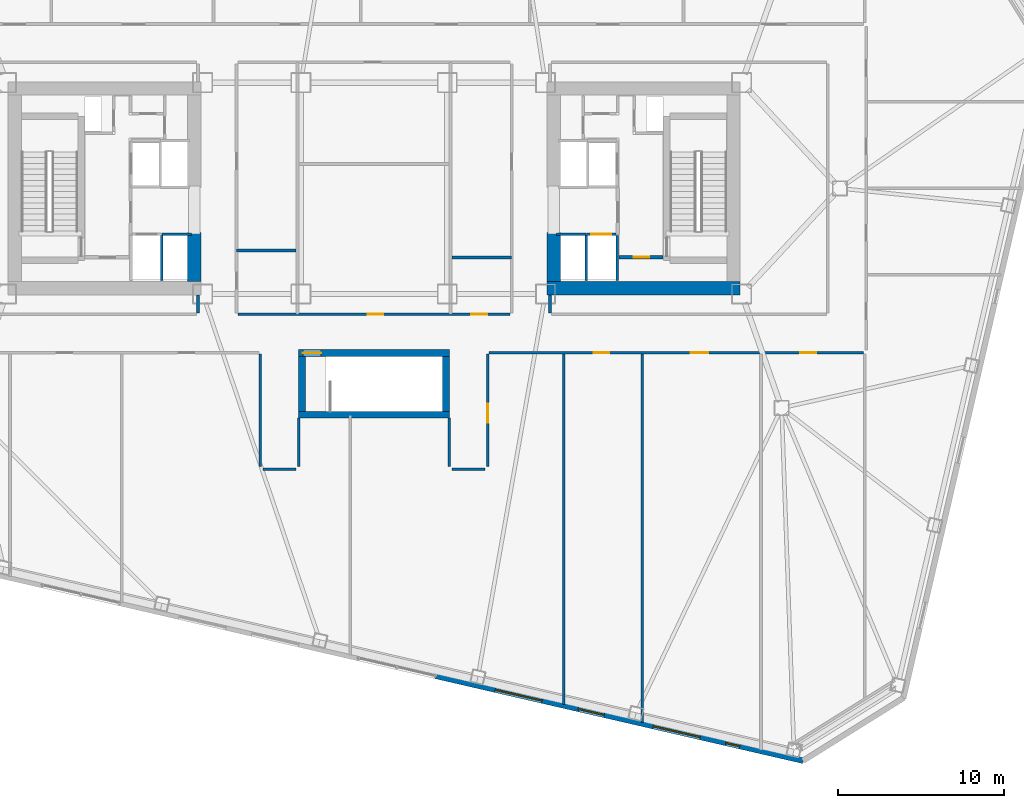
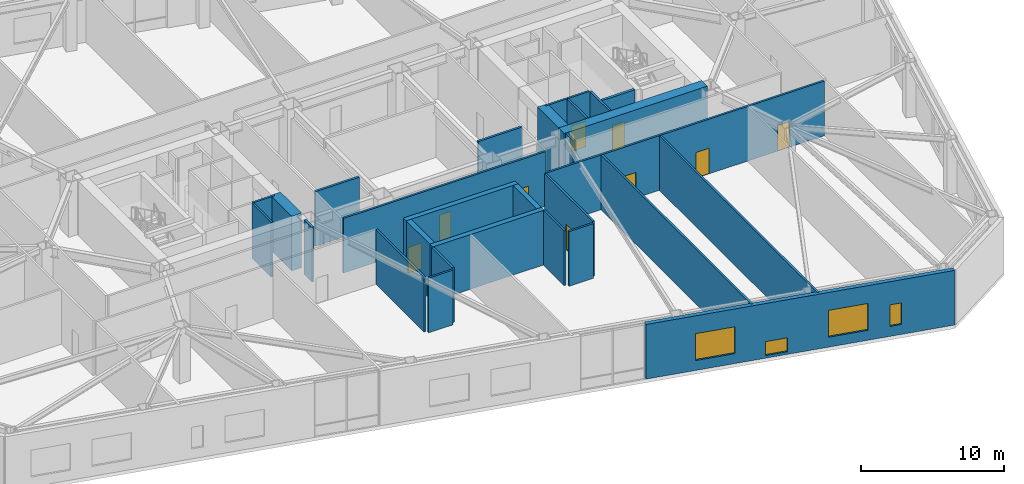
# One storey, part 10 of 19: 29 walls, 9 doors, 4 windows, 13 openings.
"""IFC4 building model written with IfcOpenShell, lengths in metres."""

import ifcopenshell
import ifcopenshell.guid

model = None  # the IFC model being written
_history = None  # IfcOwnerHistory: only IFC2X3 demands one
_inside = {}  # id of a spatial element -> (the spatial element, [elements in it])
_under = {}  # id of a project, library or spatial element -> (it, [spatial elements below it])
_declared = {}  # id of a project -> (the project, [libraries it declares])
_typed = {}  # id of a type object -> (the type object, [elements of that type])
_made_of = {}  # id of a material, layer set ... -> (it, [elements and type objects made of it])


def new_model(schema):
    """Start an empty IFC model of exactly this schema.

    Asked for "IFC4X3", IfcOpenShell would pick the latest addendum, in which some entities
    have other attributes; the version numbers below select the first issue.
    IFC2X3 requires an IfcOwnerHistory on every rooted entity: one is made here for all.
    """
    global model, _history
    if schema == "IFC4X3":
        model = ifcopenshell.file(schema_version=(4, 3, 0, 0))
    else:
        model = ifcopenshell.file(schema=schema)
    _inside.clear()
    _under.clear()
    _declared.clear()
    _typed.clear()
    _made_of.clear()
    _history = None
    if model.schema == "IFC2X3":
        org = make("IfcOrganization", Name="unknown")
        user = make(
            "IfcPersonAndOrganization",
            ThePerson=make("IfcPerson", FamilyName="unknown"),
            TheOrganization=org,
        )
        app = make(
            "IfcApplication",
            ApplicationDeveloper=org,
            Version="unknown",
            ApplicationFullName="unknown",
            ApplicationIdentifier="unknown",
        )
        _history = make(
            "IfcOwnerHistory",
            OwningUser=user,
            OwningApplication=app,
            ChangeAction="ADDED",
            CreationDate=0,
        )
    return model


def make(cls, **values):
    """One entity of the class cls with the attributes given. An attribute that is None is left unset."""
    return model.create_entity(
        cls, **{name: value for name, value in values.items() if value is not None}
    )


def rooted(cls, **values):
    """An entity with a GlobalId (a new one), such as an element, a storey or a relation."""
    return make(cls, GlobalId=ifcopenshell.guid.new(), OwnerHistory=_history, **values)


def si_unit(unit_type, name, prefix=None):
    """IfcSIUnit, for example si_unit("LENGTHUNIT", "METRE", prefix="MILLI")."""
    return make("IfcSIUnit", UnitType=unit_type, Prefix=prefix, Name=name)


def assignment(units):
    """IfcUnitAssignment: the units of a project."""
    return None if units is None else make("IfcUnitAssignment", Units=units)


def point(xyz):
    """IfcCartesianPoint."""
    return None if xyz is None else make("IfcCartesianPoint", Coordinates=xyz)


def direction(xyz):
    """IfcDirection."""
    return None if xyz is None else make("IfcDirection", DirectionRatios=xyz)


def frame(location, z_axis=None, x_axis=None):
    """IfcAxis2Placement3D, a coordinate frame: its origin and axes. An axis left out is left unset."""
    return make(
        "IfcAxis2Placement3D",
        Location=point(location),
        Axis=direction(z_axis),
        RefDirection=direction(x_axis),
    )


def frame_2d(location, x_axis=None):
    """IfcAxis2Placement2D, a coordinate frame in the plane: its origin and x axis."""
    return make(
        "IfcAxis2Placement2D", Location=point(location), RefDirection=direction(x_axis)
    )


def origin():
    """The frame at (0, 0, 0) with its axes left unset."""
    return frame((0.0, 0.0, 0.0))


def place(relative_to, where):
    """IfcLocalPlacement: puts the frame where relative to a parent placement (None: the world)."""
    return make(
        "IfcLocalPlacement", PlacementRelTo=relative_to, RelativePlacement=where
    )


def context(
    kind, dimensions, precision=None, world=None, true_north=None, identifier=None
):
    """IfcGeometricRepresentationContext, for example the 3D "Model" context."""
    return make(
        "IfcGeometricRepresentationContext",
        ContextIdentifier=identifier,
        ContextType=kind,
        CoordinateSpaceDimension=dimensions,
        Precision=precision,
        WorldCoordinateSystem=world,
        TrueNorth=true_north,
    )


def subcontext(parent, identifier, kind, view, scale=None):
    """IfcGeometricRepresentationSubContext, for example "Body" below "Model"."""
    return make(
        "IfcGeometricRepresentationSubContext",
        ContextIdentifier=identifier,
        ContextType=kind,
        ParentContext=parent,
        TargetScale=scale,
        TargetView=view,
    )


def project(units=None, contexts=None):
    """IfcProject with its units and contexts."""
    return rooted(
        "IfcProject",
        Name="project",
        RepresentationContexts=contexts,
        UnitsInContext=assignment(units),
    )


def spatial(cls, under=None, at=None, **own):
    """A site, building, storey or space (cls), placed at a placement, below another one or the project."""
    s = rooted(cls, ObjectPlacement=at, **own)
    if under is not None:
        _under.setdefault(under.id(), (under, []))[1].append(s)
    return s


def profile(cls, at=None, kind="AREA", **sizes):
    """A parametric profile (cls). Its sizes go by their IFC names, for example OverallWidth=200.0."""
    return make(cls, ProfileType=kind, Position=at, **sizes)


def rectangle(**sizes):
    """IfcRectangleProfileDef."""
    return profile("IfcRectangleProfileDef", **sizes)


def extrude(swept, where, along, depth):
    """IfcExtrudedAreaSolid: the profile swept, set in the frame where, extruded along a direction by depth."""
    return make(
        "IfcExtrudedAreaSolid",
        SweptArea=swept,
        Position=where,
        ExtrudedDirection=direction(along),
        Depth=depth,
    )


def shape(context_of_items, identifier, shape_type, items):
    """IfcShapeRepresentation: the items that make up one representation, for example the "Body"."""
    return make(
        "IfcShapeRepresentation",
        ContextOfItems=context_of_items,
        RepresentationIdentifier=identifier,
        RepresentationType=shape_type,
        Items=items,
    )


def material(Name=None, Category=None):
    """IfcMaterial."""
    return make("IfcMaterial", Name=Name, Category=Category)


def layer(
    of_material, thickness, ventilated=None, Name=None, Category=None, Priority=None
):
    """IfcMaterialLayer: one layer of a wall or slab, of a material (None: an air gap)."""
    return make(
        "IfcMaterialLayer",
        Material=of_material,
        LayerThickness=thickness,
        IsVentilated=ventilated,
        Name=Name,
        Category=Category,
        Priority=Priority,
    )


def layer_set(layers, Name=None):
    """IfcMaterialLayerSet."""
    return make("IfcMaterialLayerSet", MaterialLayers=layers, LayerSetName=Name)


def made_of(thing, what):
    """Note that an element or type object is made of a material, layer set ...; save() writes the relation."""
    if what is not None:
        _made_of.setdefault(what.id(), (what, []))[1].append(thing)
    return thing


def type_object(cls, material=None, **own):
    """A type object (cls), such as IfcWallType, which elements share."""
    return made_of(rooted(cls, **own), material)


def element(
    cls,
    number,
    at=None,
    inside=None,
    cuts=None,
    type_object=None,
    material=None,
    context=None,
    identifier="Body",
    shape_type=None,
    held_by="IfcProductDefinitionShape",
    body=None,
    shapes=None,
    **own,
):
    """One element of the class cls, such as IfcWall. Its Tag is "e" and its number.

    at: its placement. inside: the storey or other place that contains it. cuts: it is an
    opening in that element (IfcRelVoidsElement). A single representation is given by context,
    identifier, shape_type and body (its items); several are given by shapes. held_by: the class
    of the entity that holds the representations. save() writes the other relations.
    """
    e = rooted(cls, Tag="e%d" % number, ObjectPlacement=at, **own)
    if body is not None:
        shapes = [shape(context, identifier, shape_type, body)]
    if shapes is not None:
        e.Representation = make(held_by, Representations=shapes)
    if inside is not None:
        _inside.setdefault(inside.id(), (inside, []))[1].append(e)
    if cuts is not None:
        rooted(
            "IfcRelVoidsElement", RelatingBuildingElement=cuts, RelatedOpeningElement=e
        )
    if type_object is not None:
        _typed.setdefault(type_object.id(), (type_object, []))[1].append(e)
    return made_of(e, material)


def fill(opening, filler):
    """IfcRelFillsElement: the door or window that sits in an opening."""
    return rooted(
        "IfcRelFillsElement",
        RelatingOpeningElement=opening,
        RelatedBuildingElement=filler,
    )


def aggregate(whole, parts):
    """IfcRelAggregates: a whole, such as a stair, and the parts it consists of."""
    return rooted("IfcRelAggregates", RelatingObject=whole, RelatedObjects=parts)


def save(model, path):
    """Write the relations noted so far, then the file.

    IfcRelAggregates (storeys below a building ...), IfcRelContainedInSpatialStructure (elements
    in a storey), IfcRelDefinesByType, IfcRelAssociatesMaterial and IfcRelDeclares: one each for
    every whole, place, type object, material and project.
    """
    for whole, parts in _under.values():
        aggregate(whole, parts)
    for where, things in _inside.values():
        rooted(
            "IfcRelContainedInSpatialStructure",
            RelatedElements=things,
            RelatingStructure=where,
        )
    for kind, things in _typed.values():
        rooted("IfcRelDefinesByType", RelatedObjects=things, RelatingType=kind)
    for what, things in _made_of.values():
        rooted("IfcRelAssociatesMaterial", RelatedObjects=things, RelatingMaterial=what)
    for by, libraries in _declared.values():
        rooted("IfcRelDeclares", RelatingContext=by, RelatedDefinitions=libraries)
    model.write(path)


model = new_model("IFC4")

# Units and contexts
model_context = context("Model", 3, precision=1e-05, world=origin(), true_north=direction((0.0, 1.0)))
body_context = subcontext(model_context, "Body", "Model", "MODEL_VIEW")
ifc_project = project(units=[si_unit("LENGTHUNIT", "METRE"), si_unit("AREAUNIT", "SQUARE_METRE"), si_unit("VOLUMEUNIT", "CUBIC_METRE"), si_unit("PLANEANGLEUNIT", "RADIAN"), si_unit("MASSUNIT", "GRAM", prefix="KILO")], contexts=[model_context])

# Site, building, storey
site_placement = place(None, origin())
site = spatial("IfcSite", under=ifc_project, at=site_placement, CompositionType="ELEMENT")
building_placement = place(site_placement, origin())
building = spatial("IfcBuilding", under=site, at=building_placement, Name="Tavrogorsk Clinical Tower", CompositionType="ELEMENT")
storey_placement = place(building_placement, frame((0.0, 0.0, 28.39990234375)))
storey = spatial("IfcBuildingStorey", under=building, at=storey_placement, Name="L05", CompositionType="ELEMENT", Elevation=28.39990234375)

# Wall, opening, door
ifc_material_1 = material(Name="Concrete B60", Category="concrete")
ifc_layer_1 = layer(ifc_material_1, 0.199951171875)
ifc_layer_set_1 = layer_set([ifc_layer_1], Name="Concrete B60")
wall_type_1 = type_object("IfcWallType", Name="CoreFireWall_200", PredefinedType="SOLIDWALL", material=ifc_layer_set_1)
wall_1_placement = place(storey_placement, frame((14.719970703125, -4.139892578125, 0.0), z_axis=(0.0, 0.0, 1.0), x_axis=(1.0, 0.0, 0.0)))
wall_1 = element("IfcWall", 1, at=wall_1_placement, inside=storey, type_object=wall_type_1, Name="L05 Core East South Core Room Fire Wall", PredefinedType="SOLIDWALL", context=body_context, shape_type="SweptSolid", body=[
    extrude(rectangle(XDim=2.659912109375, YDim=0.199951171875, at=frame_2d((1.330078125, 0.0))), origin(), (0.0, 0.0, 1.0), 4.68017578125),
])
opening_1_placement = place(wall_1_placement, frame((0.8798828125, 0.0, 0.0)))
opening_1 = element("IfcOpeningElement", 2, at=opening_1_placement, cuts=wall_1, Name="Opening ID-02", PredefinedType="OPENING", context=body_context, shape_type="SweptSolid", body=[
    extrude(rectangle(XDim=0.949951171875, YDim=2.199951171875, at=frame_2d((0.47509765625, 1.10009765625))), frame((0.0, 0.10986328125, 0.0), z_axis=(0.0, -1.0, 0.0), x_axis=(1.0, 0.0, 0.0)), (0.0, 0.0, 1.0), 0.219970703125),
])
ifc_material_2 = material(Name="Laminated timber leaf on aluminium frame", Category="wood")
door_type_1 = type_object("IfcDoorType", Name="InteriorDoor_ID02_950", OperationType="NOTDEFINED", PredefinedType="DOOR", material=ifc_material_2)
door_1_placement = place(opening_1_placement, origin())
door_1 = element("IfcDoor", 3, at=door_1_placement, inside=storey, type_object=door_type_1, Name="L05 Core East South Core Room Door", OperationType="SINGLE_SWING_LEFT", OverallHeight=2.199951171875, OverallWidth=0.949951171875, PredefinedType="DOOR", context=body_context, shape_type="SweptSolid", body=[
    extrude(rectangle(XDim=0.949951171875, YDim=2.199951171875, at=frame_2d((0.47509765625, 1.10009765625))), frame((0.0, 0.02490234375, 0.0), z_axis=(0.0, -1.0, 0.0), x_axis=(1.0, 0.0, 0.0)), (0.0, 0.0, 1.0), 0.050048828125),
])
fill(opening_1, door_1)

# Wall, openings, doors
ifc_material_3 = material(Name="Lightweight concrete blockwork B15", Category="masonry")
ifc_layer_2 = layer(ifc_material_3, 0.159912109375)
ifc_layer_set_2 = layer_set([ifc_layer_2], Name="Lightweight concrete blockwork B15")
wall_type_2 = type_object("IfcWallType", Name="PartitionWall_160", PredefinedType="PARTITIONING", material=ifc_layer_set_2)
wall_2_placement = place(storey_placement, frame((29.4150390625, -9.8798828125, 0.0), z_axis=(0.0, 0.0, 1.0), x_axis=(-1.0, 0.0, 0.0)))
wall_2 = element("IfcWall", 4, at=wall_2_placement, inside=storey, type_object=wall_type_2, Name="L05 Corridor Partition 04", PredefinedType="PARTITIONING", context=body_context, shape_type="SweptSolid", body=[
    extrude(rectangle(XDim=22.5, YDim=0.159912109375, at=frame_2d((11.25, 0.0))), origin(), (0.0, 0.0, 1.0), 4.68017578125),
])
opening_2_placement = place(wall_2_placement, frame((15.264892578125, 0.0, 0.0)))
opening_2 = element("IfcOpeningElement", 5, at=opening_2_placement, cuts=wall_2, Name="Opening ID-02", PredefinedType="OPENING", context=body_context, shape_type="SweptSolid", body=[
    extrude(rectangle(XDim=0.949951171875, YDim=2.199951171875, at=frame_2d((0.47509765625, 1.10009765625))), frame((0.0, 0.08984375, 0.0), z_axis=(0.0, -1.0, 0.0), x_axis=(1.0, 0.0, 0.0)), (0.0, 0.0, 1.0), 0.179931640625),
])
opening_3_placement = place(wall_2_placement, frame((9.3349609375, 0.0, 0.0)))
opening_3 = element("IfcOpeningElement", 6, at=opening_3_placement, cuts=wall_2, Name="Opening ID-04", PredefinedType="OPENING", context=body_context, shape_type="SweptSolid", body=[
    extrude(rectangle(XDim=1.050048828125, YDim=2.199951171875, at=frame_2d((0.52490234375, 1.10009765625))), frame((0.0, 0.08984375, 0.0), z_axis=(0.0, -1.0, 0.0), x_axis=(1.0, 0.0, 0.0)), (0.0, 0.0, 1.0), 0.179931640625),
])
opening_4_placement = place(wall_2_placement, frame((2.839111328125, 0.0, 0.0)))
opening_4 = element("IfcOpeningElement", 7, at=opening_4_placement, cuts=wall_2, Name="Opening ID-02", PredefinedType="OPENING", context=body_context, shape_type="SweptSolid", body=[
    extrude(rectangle(XDim=0.949951171875, YDim=2.199951171875, at=frame_2d((0.47509765625, 1.10009765625))), frame((0.0, 0.08984375, 0.0), z_axis=(0.0, -1.0, 0.0), x_axis=(1.0, 0.0, 0.0)), (0.0, 0.0, 1.0), 0.179931640625),
])
ifc_material_4 = material(Name="Antibacterial HPL consultation door on aluminium frame", Category="aluminium")
door_type_2 = type_object("IfcDoorType", Name="ConsultDoor_ID04_1050", OperationType="NOTDEFINED", PredefinedType="DOOR", material=ifc_material_4)
door_2_placement = place(opening_3_placement, origin())
door_2 = element("IfcDoor", 8, at=door_2_placement, inside=storey, type_object=door_type_2, Name="L05 South Intensivist Consultation Office 04A Door", OperationType="SINGLE_SWING_LEFT", OverallHeight=2.199951171875, OverallWidth=1.050048828125, PredefinedType="DOOR", context=body_context, shape_type="SweptSolid", body=[
    extrude(rectangle(XDim=1.050048828125, YDim=2.199951171875, at=frame_2d((0.52490234375, 1.10009765625))), frame((0.0, 0.02490234375, 0.0), z_axis=(0.0, -1.0, 0.0), x_axis=(1.0, 0.0, 0.0)), (0.0, 0.0, 1.0), 0.050048828125),
])
fill(opening_3, door_2)
door_3_placement = place(opening_2_placement, origin())
door_3 = element("IfcDoor", 9, at=door_3_placement, inside=storey, type_object=door_type_1, Name="L05 South Critical Care Case Seminar Room 03 Door", OperationType="SINGLE_SWING_RIGHT", OverallHeight=2.199951171875, OverallWidth=0.949951171875, PredefinedType="DOOR", context=body_context, shape_type="SweptSolid", body=[
    extrude(rectangle(XDim=0.949951171875, YDim=2.199951171875, at=frame_2d((0.47509765625, 1.10009765625))), frame((0.0, 0.02490234375, 0.0), z_axis=(0.0, -1.0, 0.0), x_axis=(1.0, 0.0, 0.0)), (0.0, 0.0, 1.0), 0.050048828125),
])
fill(opening_2, door_3)
door_4_placement = place(opening_4_placement, origin())
door_4 = element("IfcDoor", 10, at=door_4_placement, inside=storey, type_object=door_type_1, Name="L05 South ECMO & Ventilator Equipment Store 04B Door", OperationType="SINGLE_SWING_RIGHT", OverallHeight=2.199951171875, OverallWidth=0.949951171875, PredefinedType="DOOR", context=body_context, shape_type="SweptSolid", body=[
    extrude(rectangle(XDim=0.949951171875, YDim=2.199951171875, at=frame_2d((0.47509765625, 1.10009765625))), frame((0.0, 0.02490234375, 0.0), z_axis=(0.0, -1.0, 0.0), x_axis=(1.0, 0.0, 0.0)), (0.0, 0.0, 1.0), 0.050048828125),
])
fill(opening_4, door_4)

# Wall, opening, door
wall_3_placement = place(storey_placement, frame((6.830078125, -9.965087890625, 0.0), z_axis=(0.0, 0.0, 1.0), x_axis=(0.0, -1.0, 0.0)))
wall_3 = element("IfcWall", 11, at=wall_3_placement, inside=storey, type_object=wall_type_2, Name="L05 Corridor Partition 05", PredefinedType="PARTITIONING", context=body_context, shape_type="SweptSolid", body=[
    extrude(rectangle(XDim=6.75, YDim=0.159912109375, at=frame_2d((3.375, 0.0))), origin(), (0.0, 0.0, 1.0), 4.68017578125),
])
opening_5_placement = place(wall_3_placement, frame((2.985107421875, 0.0, 0.0)))
opening_5 = element("IfcOpeningElement", 12, at=opening_5_placement, cuts=wall_3, Name="Opening ID-06", PredefinedType="OPENING", context=body_context, shape_type="SweptSolid", body=[
    extrude(rectangle(XDim=1.14990234375, YDim=2.199951171875, at=frame_2d((0.574951171875, 1.10009765625))), frame((0.0, 0.08984375, 0.0), z_axis=(0.0, -1.0, 0.0), x_axis=(1.0, 0.0, 0.0)), (0.0, 0.0, 1.0), 0.179931640625),
])
ifc_material_5 = material(Name="Antibacterial HPL procedure door on aluminium frame", Category="aluminium")
door_type_3 = type_object("IfcDoorType", Name="LabDoor_ID06_1150", OperationType="NOTDEFINED", PredefinedType="DOOR", material=ifc_material_5)
door_5_placement = place(opening_5_placement, origin())
door_5 = element("IfcDoor", 13, at=door_5_placement, inside=storey, type_object=door_type_3, Name="L05 South ECMO & Ventilator Equipment Store 02B Door", OperationType="SINGLE_SWING_LEFT", OverallHeight=2.199951171875, OverallWidth=1.14990234375, PredefinedType="DOOR", context=body_context, shape_type="SweptSolid", body=[
    extrude(rectangle(XDim=1.14990234375, YDim=2.199951171875, at=frame_2d((0.574951171875, 1.10009765625))), frame((0.0, 0.02490234375, 0.0), z_axis=(0.0, -1.0, 0.0), x_axis=(1.0, 0.0, 0.0)), (0.0, 0.0, 1.0), 0.050048828125),
])
fill(opening_5, door_5)

# Walls
wall_4_placement = place(storey_placement, frame((6.6650390625, -16.8798828125, 0.0), z_axis=(0.0, 0.0, 1.0), x_axis=(-1.0, 0.0, 0.0)))
element("IfcWall", 14, at=wall_4_placement, inside=storey, type_object=wall_type_2, Name="L05 Corridor Partition 06", PredefinedType="PARTITIONING", context=body_context, shape_type="SweptSolid", body=[
    extrude(rectangle(XDim=1.97998046875, YDim=0.159912109375, at=frame_2d((0.989990234375, 0.0))), origin(), (0.0, 0.0, 1.0), 4.68017578125),
])
for number, where, z_axis, x_axis, name in (
    (15, (4.52001953125, -16.715087890625, 0.0), (0.0, 0.0, 1.0), (0.0, 1.0, 0.0), "L05 Corridor Partition 07"),
    (16, (-4.52001953125, -13.800048828125, 0.0), (0.0, 0.0, 1.0), (0.0, -1.0, 0.0), "L05 Corridor Partition 08"),
):
    element("IfcWall", number, at=place(storey_placement, frame(where, z_axis=z_axis, x_axis=x_axis)), inside=storey, type_object=wall_type_2, Name=name, PredefinedType="PARTITIONING", context=body_context, shape_type="SweptSolid", body=[
        extrude(rectangle(XDim=2.9150390625, YDim=0.159912109375, at=frame_2d((1.45751953125, 0.0))), origin(), (0.0, 0.0, 1.0), 4.68017578125),
    ])
wall_5_placement = place(storey_placement, frame((-4.68505859375, -16.8798828125, 0.0), z_axis=(0.0, 0.0, 1.0), x_axis=(-1.0, 0.0, 0.0)))
element("IfcWall", 17, at=wall_5_placement, inside=storey, type_object=wall_type_2, Name="L05 Corridor Partition 09", PredefinedType="PARTITIONING", context=body_context, shape_type="SweptSolid", body=[
    extrude(rectangle(XDim=1.97998046875, YDim=0.159912109375, at=frame_2d((0.989990234375, 0.0))), origin(), (0.0, 0.0, 1.0), 4.68017578125),
])
wall_6_placement = place(storey_placement, frame((-6.830078125, -16.715087890625, 0.0), z_axis=(0.0, 0.0, 1.0), x_axis=(0.0, 1.0, 0.0)))
element("IfcWall", 18, at=wall_6_placement, inside=storey, type_object=wall_type_2, Name="L05 Corridor Partition 10", PredefinedType="PARTITIONING", context=body_context, shape_type="SweptSolid", body=[
    extrude(rectangle(XDim=6.75, YDim=0.159912109375, at=frame_2d((3.375, 0.0))), origin(), (0.0, 0.0, 1.0), 4.68017578125),
])
wall_7_placement = place(storey_placement, frame((10.580078125, -6.419921875, 0.0), z_axis=(0.0, 0.0, 1.0), x_axis=(0.0, -1.0, 0.0)))
element("IfcWall", 19, at=wall_7_placement, inside=storey, type_object=wall_type_2, Name="L05 Corridor Partition 14", PredefinedType="PARTITIONING", context=body_context, shape_type="SweptSolid", body=[
    extrude(rectangle(XDim=1.065185546875, YDim=0.159912109375, at=frame_2d((0.53271484375, 0.0))), origin(), (0.0, 0.0, 1.0), 4.68017578125),
])

# Wall, openings, doors
wall_8_placement = place(storey_placement, frame((-8.18505859375, -7.570068359375, 0.0), z_axis=(0.0, 0.0, 1.0), x_axis=(1.0, 0.0, 0.0)))
wall_8 = element("IfcWall", 20, at=wall_8_placement, inside=storey, type_object=wall_type_2, Name="L05 Corridor Partition 19", PredefinedType="PARTITIONING", context=body_context, shape_type="SweptSolid", body=[
    extrude(rectangle(XDim=16.3701171875, YDim=0.159912109375, at=frame_2d((8.18505859375, 0.0))), origin(), (0.0, 0.0, 1.0), 4.68017578125),
])
opening_6_placement = place(wall_8_placement, frame((7.794921875, 0.0, 0.0)))
opening_6 = element("IfcOpeningElement", 21, at=opening_6_placement, cuts=wall_8, Name="Opening ID-02", PredefinedType="OPENING", context=body_context, shape_type="SweptSolid", body=[
    extrude(rectangle(XDim=0.949951171875, YDim=2.199951171875, at=frame_2d((0.47509765625, 1.10009765625))), frame((0.0, 0.08984375, 0.0), z_axis=(0.0, -1.0, 0.0), x_axis=(1.0, 0.0, 0.0)), (0.0, 0.0, 1.0), 0.179931640625),
])
opening_7_placement = place(wall_8_placement, frame((14.035888671875, 0.0, 0.0)))
opening_7 = element("IfcOpeningElement", 22, at=opening_7_placement, cuts=wall_8, Name="Opening ID-02", PredefinedType="OPENING", context=body_context, shape_type="SweptSolid", body=[
    extrude(rectangle(XDim=0.949951171875, YDim=2.199951171875, at=frame_2d((0.47509765625, 1.10009765625))), frame((0.0, 0.08984375, 0.0), z_axis=(0.0, -1.0, 0.0), x_axis=(1.0, 0.0, 0.0)), (0.0, 0.0, 1.0), 0.179931640625),
])
door_6_placement = place(opening_6_placement, origin())
door_6 = element("IfcDoor", 23, at=door_6_placement, inside=storey, type_object=door_type_1, Name="L05 Multidisciplinary Conference Room Door", OperationType="SINGLE_SWING_LEFT", OverallHeight=2.199951171875, OverallWidth=0.949951171875, PredefinedType="DOOR", context=body_context, shape_type="SweptSolid", body=[
    extrude(rectangle(XDim=0.949951171875, YDim=2.199951171875, at=frame_2d((0.47509765625, 1.10009765625))), frame((0.0, 0.02490234375, 0.0), z_axis=(0.0, -1.0, 0.0), x_axis=(1.0, 0.0, 0.0)), (0.0, 0.0, 1.0), 0.050048828125),
])
fill(opening_6, door_6)
door_7_placement = place(opening_7_placement, origin())
door_7 = element("IfcDoor", 24, at=door_7_placement, inside=storey, type_object=door_type_1, Name="L05 Staff & Visitor Accessible WC Door", OperationType="SINGLE_SWING_LEFT", OverallHeight=2.199951171875, OverallWidth=0.949951171875, PredefinedType="DOOR", context=body_context, shape_type="SweptSolid", body=[
    extrude(rectangle(XDim=0.949951171875, YDim=2.199951171875, at=frame_2d((0.47509765625, 1.10009765625))), frame((0.0, 0.02490234375, 0.0), z_axis=(0.0, -1.0, 0.0), x_axis=(1.0, 0.0, 0.0)), (0.0, 0.0, 1.0), 0.050048828125),
])
fill(opening_7, door_7)

# Walls
wall_9_placement = place(storey_placement, frame((-10.580078125, -7.485107421875, 0.0), z_axis=(0.0, 0.0, 1.0), x_axis=(0.0, 1.0, 0.0)))
element("IfcWall", 25, at=wall_9_placement, inside=storey, type_object=wall_type_2, Name="L05 Corridor Partition 21", PredefinedType="PARTITIONING", context=body_context, shape_type="SweptSolid", body=[
    extrude(rectangle(XDim=1.065185546875, YDim=0.159912109375, at=frame_2d((0.53271484375, 0.0))), origin(), (0.0, 0.0, 1.0), 4.68017578125),
])
wall_10_placement = place(storey_placement, frame((11.39990234375, -31.01318359375, 0.0), z_axis=(0.0, 0.0, 1.0), x_axis=(0.0, 1.0, 0.0)))
element("IfcWall", 26, at=wall_10_placement, inside=storey, type_object=wall_type_2, Name="L05 South Room Partition 2", PredefinedType="PARTITIONING", context=body_context, shape_type="SweptSolid", body=[
    extrude(rectangle(XDim=21.048095703125, YDim=0.159912109375, at=frame_2d((10.52392578125, 0.0))), origin(), (0.0, 0.0, 1.0), 4.68017578125),
])
wall_11_placement = place(storey_placement, frame((16.1201171875, -32.102783203125, 0.0), z_axis=(0.0, 0.0, 1.0), x_axis=(0.0, 1.0, 0.0)))
element("IfcWall", 27, at=wall_11_placement, inside=storey, type_object=wall_type_2, Name="L05 South Room Partition 3", PredefinedType="PARTITIONING", context=body_context, shape_type="SweptSolid", body=[
    extrude(rectangle(XDim=22.1376953125, YDim=0.159912109375, at=frame_2d((11.06884765625, 0.0))), origin(), (0.0, 0.0, 1.0), 4.68017578125),
])
ifc_material_6 = material(Name="Lightweight concrete blockwork B20", Category="masonry")
ifc_layer_3 = layer(ifc_material_6, 0.179931640625)
ifc_layer_set_3 = layer_set([ifc_layer_3], Name="Lightweight concrete blockwork B20")
wall_type_3 = type_object("IfcWallType", Name="PartitionWall_180", PredefinedType="PARTITIONING", material=ifc_layer_set_3)
for number, where, z_axis, x_axis, name in (
    (28, (-8.264892578125, -3.75, 0.0), (0.0, 0.0, 1.0), (1.0, 0.0, 0.0), "L05 Central Spine Partition 4"),
    (29, (4.695068359375, -4.14990234375, 0.0), (0.0, 0.0, 1.0), (1.0, 0.0, 0.0), "L05 Central Spine Partition 5"),
):
    element("IfcWall", number, at=place(storey_placement, frame(where, z_axis=z_axis, x_axis=x_axis)), inside=storey, type_object=wall_type_3, Name=name, PredefinedType="PARTITIONING", context=body_context, shape_type="SweptSolid", body=[
        extrude(rectangle(XDim=3.56982421875, YDim=0.179931640625, at=frame_2d((1.784912109375, 0.0))), origin(), (0.0, 0.0, 1.0), 4.68017578125),
    ])

# Wall, openings, windows
ifc_material_7 = material(Name="Precast concrete B45 with limestone cladding", Category="masonry")
ifc_layer_4 = layer(ifc_material_7, 0.340087890625)
ifc_layer_set_4 = layer_set([ifc_layer_4], Name="Precast concrete B45 with limestone cladding")
wall_type_4 = type_object("IfcWallType", Name="PrecastLimestoneWall_340", PredefinedType="STANDARD", material=ifc_layer_set_4)
wall_12_placement = place(storey_placement, frame((3.716796875, -29.31103515625, 0.0), z_axis=(0.0, 0.0, 1.0), x_axis=(0.97436993772, -0.224951604723, 0.0)))
wall_12 = element("IfcWall", 30, at=wall_12_placement, inside=storey, type_object=wall_type_4, Name="L05 S Limestone Facade Wall 3", PredefinedType="STANDARD", context=body_context, shape_type="SweptSolid", body=[
    extrude(rectangle(XDim=22.6513671875, YDim=0.340087890625, at=frame_2d((11.32568359375, 0.0))), origin(), (0.0, 0.0, 1.0), 4.68017578125),
])
opening_8_placement = place(wall_12_placement, frame((3.656494140625, 0.0, 0.85009765625)))
opening_8 = element("IfcOpeningElement", 31, at=opening_8_placement, cuts=wall_12, Name="Opening WN-10", PredefinedType="OPENING", context=body_context, shape_type="SweptSolid", body=[
    extrude(rectangle(XDim=2.89990234375, YDim=2.300048828125, at=frame_2d((1.449951171875, 1.14990234375))), frame((0.0, 0.179931640625, 0.0), z_axis=(0.0, -1.0, 0.0), x_axis=(1.0, 0.0, 0.0)), (0.0, 0.0, 1.0), 0.360107421875),
])
opening_9_placement = place(wall_12_placement, frame((8.790771484375, 0.0, 0.219970703125)))
opening_9 = element("IfcOpeningElement", 32, at=opening_9_placement, cuts=wall_12, Name="Opening WN-09", PredefinedType="OPENING", context=body_context, shape_type="SweptSolid", body=[
    extrude(rectangle(XDim=1.60009765625, YDim=1.199951171875, at=frame_2d((0.800048828125, 0.60009765625))), frame((0.0, 0.179931640625, 0.0), z_axis=(0.0, -1.0, 0.0), x_axis=(1.0, 0.0, 0.0)), (0.0, 0.0, 1.0), 0.360107421875),
])
opening_10_placement = place(wall_12_placement, frame((13.40478515625, 0.0, 0.85009765625)))
opening_10 = element("IfcOpeningElement", 33, at=opening_10_placement, cuts=wall_12, Name="Opening WN-10", PredefinedType="OPENING", context=body_context, shape_type="SweptSolid", body=[
    extrude(rectangle(XDim=2.89990234375, YDim=2.300048828125, at=frame_2d((1.449951171875, 1.14990234375))), frame((0.0, 0.179931640625, 0.0), z_axis=(0.0, -1.0, 0.0), x_axis=(1.0, 0.0, 0.0)), (0.0, 0.0, 1.0), 0.360107421875),
])
opening_11_placement = place(wall_12_placement, frame((17.889404296875, 0.0, 0.85009765625)))
opening_11 = element("IfcOpeningElement", 34, at=opening_11_placement, cuts=wall_12, Name="Opening WN-06", PredefinedType="OPENING", context=body_context, shape_type="SweptSolid", body=[
    extrude(rectangle(XDim=0.85009765625, YDim=1.85009765625, at=frame_2d((0.425048828125, 0.925048828125))), frame((0.0, 0.179931640625, 0.0), z_axis=(0.0, -1.0, 0.0), x_axis=(1.0, 0.0, 0.0)), (0.0, 0.0, 1.0), 0.360107421875),
])
ifc_material_8 = material(Name="Thermally broken aluminium frame and triple IGU", Category="aluminium")
window_type_1 = type_object("IfcWindowType", Name="DiagnosticWin_2900x2300", PartitioningType="TRIPLE_PANEL_HORIZONTAL", PredefinedType="WINDOW", material=ifc_material_8)
window_1_placement = place(opening_8_placement, origin())
window_1 = element("IfcWindow", 35, at=window_1_placement, inside=storey, type_object=window_type_1, Name="L05 S Chicago Window 07", OverallHeight=2.300048828125, OverallWidth=2.89990234375, PartitioningType="SINGLE_PANEL", PredefinedType="WINDOW", context=body_context, shape_type="SweptSolid", body=[
    extrude(rectangle(XDim=2.89990234375, YDim=2.300048828125, at=frame_2d((1.449951171875, 1.14990234375))), frame((0.0, 0.030029296875, 0.0), z_axis=(0.0, -1.0, 0.0), x_axis=(1.0, 0.0, 0.0)), (0.0, 0.0, 1.0), 0.06005859375),
])
fill(opening_8, window_1)
window_2_placement = place(opening_10_placement, origin())
window_2 = element("IfcWindow", 36, at=window_2_placement, inside=storey, type_object=window_type_1, Name="L05 S Chicago Window 09", OverallHeight=2.300048828125, OverallWidth=2.89990234375, PartitioningType="SINGLE_PANEL", PredefinedType="WINDOW", context=body_context, shape_type="SweptSolid", body=[
    extrude(rectangle(XDim=2.89990234375, YDim=2.300048828125, at=frame_2d((1.449951171875, 1.14990234375))), frame((0.0, 0.030029296875, 0.0), z_axis=(0.0, -1.0, 0.0), x_axis=(1.0, 0.0, 0.0)), (0.0, 0.0, 1.0), 0.06005859375),
])
fill(opening_10, window_2)
ifc_material_9 = material(Name="Thermally broken aluminium frame and triple IGU", Category="aluminium")
window_type_2 = type_object("IfcWindowType", Name="LowHeadTransWin_1600x1200", PartitioningType="DOUBLE_PANEL_VERTICAL", PredefinedType="WINDOW", material=ifc_material_9)
window_3_placement = place(opening_9_placement, origin())
window_3 = element("IfcWindow", 37, at=window_3_placement, inside=storey, type_object=window_type_2, Name="L05 S Chicago Window 08", OverallHeight=1.199951171875, OverallWidth=1.60009765625, PartitioningType="SINGLE_PANEL", PredefinedType="WINDOW", context=body_context, shape_type="SweptSolid", body=[
    extrude(rectangle(XDim=1.60009765625, YDim=1.199951171875, at=frame_2d((0.800048828125, 0.60009765625))), frame((0.0, 0.030029296875, 0.0), z_axis=(0.0, -1.0, 0.0), x_axis=(1.0, 0.0, 0.0)), (0.0, 0.0, 1.0), 0.06005859375),
])
fill(opening_9, window_3)
ifc_material_10 = material(Name="Thermally broken aluminium frame and triple IGU", Category="aluminium")
window_type_3 = type_object("IfcWindowType", Name="MullionSubWin_850x1850", PartitioningType="SINGLE_PANEL", PredefinedType="WINDOW", material=ifc_material_10)
window_4_placement = place(opening_11_placement, origin())
window_4 = element("IfcWindow", 38, at=window_4_placement, inside=storey, type_object=window_type_3, Name="L05 S Mullion Split Window 10A", OverallHeight=1.85009765625, OverallWidth=0.85009765625, PartitioningType="SINGLE_PANEL", PredefinedType="WINDOW", context=body_context, shape_type="SweptSolid", body=[
    extrude(rectangle(XDim=0.85009765625, YDim=1.85009765625, at=frame_2d((0.425048828125, 0.925048828125))), frame((0.0, 0.030029296875, 0.0), z_axis=(0.0, -1.0, 0.0), x_axis=(1.0, 0.0, 0.0)), (0.0, 0.0, 1.0), 0.06005859375),
])
fill(opening_11, window_4)

# Walls
ifc_material_11 = material(Name="Lightweight concrete blockwork B25", Category="masonry")
ifc_layer_5 = layer(ifc_material_11, 0.159912109375)
ifc_layer_set_5 = layer_set([ifc_layer_5], Name="Lightweight concrete blockwork B25")
wall_type_5 = type_object("IfcWallType", Name="ShaftWall_160", PredefinedType="PARTITIONING", material=ifc_layer_set_5)
wall_13_placement = place(storey_placement, frame((-12.75, -5.5400390625, 0.0), z_axis=(0.0, 0.0, 1.0), x_axis=(0.0, 1.0, 0.0)))
element("IfcWall", 39, at=wall_13_placement, inside=storey, type_object=wall_type_5, Name="L05 LP-L1 Lift Hoistway Divider Wall", PredefinedType="PARTITIONING", context=body_context, shape_type="SweptSolid", body=[
    extrude(rectangle(XDim=2.699951171875, YDim=0.159912109375, at=frame_2d((1.35009765625, 0.0))), origin(), (0.0, 0.0, 1.0), 4.68017578125),
])
wall_14_placement = place(storey_placement, frame((-12.72998046875, -2.75, 0.0), z_axis=(0.0, 0.0, 1.0), x_axis=(1.0, 0.0, 0.0)))
element("IfcWall", 40, at=wall_14_placement, inside=storey, type_object=wall_type_5, Name="L05 LP-M1 Lift Shaft Portal Wall", PredefinedType="PARTITIONING", context=body_context, shape_type="SweptSolid", body=[
    extrude(rectangle(XDim=1.760009765625, YDim=0.159912109375, at=frame_2d((0.8798828125, 0.0))), origin(), (0.0, 0.0, 1.0), 4.68017578125),
])

# Wall, opening, door
wall_15_placement = place(storey_placement, frame((12.77001953125, -2.75, 0.0), z_axis=(0.0, 0.0, 1.0), x_axis=(1.0, 0.0, 0.0)))
wall_15 = element("IfcWall", 41, at=wall_15_placement, inside=storey, type_object=wall_type_5, Name="L05 LP-L2 Lift Shaft Portal Wall", PredefinedType="PARTITIONING", context=body_context, shape_type="SweptSolid", body=[
    extrude(rectangle(XDim=1.760009765625, YDim=0.159912109375, at=frame_2d((0.8798828125, 0.0))), origin(), (0.0, 0.0, 1.0), 4.68017578125),
])
opening_12_placement = place(wall_15_placement, frame((0.280029296875, 0.0, 0.0)))
opening_12 = element("IfcOpeningElement", 42, at=opening_12_placement, cuts=wall_15, Name="Opening LD", PredefinedType="OPENING", context=body_context, shape_type="SweptSolid", body=[
    extrude(rectangle(XDim=1.199951171875, YDim=2.199951171875, at=frame_2d((0.60009765625, 1.10009765625))), frame((0.0, 0.08984375, 0.0), z_axis=(0.0, -1.0, 0.0), x_axis=(1.0, 0.0, 0.0)), (0.0, 0.0, 1.0), 0.179931640625),
])
ifc_material_12 = material(Name="Brushed stainless steel AISI 304 sliding doors", Category="steel")
door_type_4 = type_object("IfcDoorType", Name="LiftLandingDoor_LD_1200", OperationType="SLIDING_TO_LEFT", PredefinedType="DOOR", material=ifc_material_12)
door_8_placement = place(opening_12_placement, origin())
door_8 = element("IfcDoor", 43, at=door_8_placement, inside=storey, type_object=door_type_4, Name="L05 LP-L2 Sliding Lift Landing Door", OperationType="SLIDING_TO_LEFT", OverallHeight=2.199951171875, OverallWidth=1.199951171875, PredefinedType="DOOR", context=body_context, shape_type="SweptSolid", body=[
    extrude(rectangle(XDim=1.199951171875, YDim=2.199951171875, at=frame_2d((0.60009765625, 1.10009765625))), frame((0.0, 0.02490234375, 0.0), z_axis=(0.0, -1.0, 0.0), x_axis=(1.0, 0.0, 0.0)), (0.0, 0.0, 1.0), 0.050048828125),
])
fill(opening_12, door_8)

# Walls
for number, where, z_axis, x_axis, name in (
    (44, (12.75, -5.5400390625, 0.0), (0.0, 0.0, 1.0), (0.0, 1.0, 0.0), "L05 LP-L2 Lift Hoistway Divider Wall"),
    (45, (14.610107421875, -5.5400390625, 0.0), (0.0, 0.0, 1.0), (0.0, 1.0, 0.0), "L05 LP-L2 Lift Hoistway Outer Cheek Wall"),
):
    element("IfcWall", number, at=place(storey_placement, frame(where, z_axis=z_axis, x_axis=x_axis)), inside=storey, type_object=wall_type_5, Name=name, PredefinedType="PARTITIONING", context=body_context, shape_type="SweptSolid", body=[
        extrude(rectangle(XDim=2.699951171875, YDim=0.159912109375, at=frame_2d((1.35009765625, 0.0))), origin(), (0.0, 0.0, 1.0), 4.68017578125),
    ])
wall_16_placement = place(storey_placement, frame((10.969970703125, -2.75, 0.0), z_axis=(0.0, 0.0, 1.0), x_axis=(1.0, 0.0, 0.0)))
element("IfcWall", 46, at=wall_16_placement, inside=storey, type_object=wall_type_5, Name="L05 LP-M2 Lift Shaft Portal Wall", PredefinedType="PARTITIONING", context=body_context, shape_type="SweptSolid", body=[
    extrude(rectangle(XDim=1.760009765625, YDim=0.159912109375, at=frame_2d((0.8798828125, 0.0))), origin(), (0.0, 0.0, 1.0), 4.68017578125),
])
ifc_material_13 = material(Name="Concrete B80", Category="concrete")
ifc_layer_6 = layer(ifc_material_13, 0.39990234375)
ifc_layer_set_6 = layer_set([ifc_layer_6], Name="Concrete B80")
wall_type_6 = type_object("IfcWallType", Name="ShearWall_400", PredefinedType="SHEAR", material=ifc_layer_set_6)
wall_17_placement = place(storey_placement, frame((-4.52490234375, -13.60009765625, 0.0), z_axis=(0.0, 0.0, 1.0), x_axis=(1.0, 0.0, 0.0)))
element("IfcWall", 47, at=wall_17_placement, inside=storey, type_object=wall_type_6, Name="L05 Podium Stair South Shaft Wall", PredefinedType="SHEAR", context=body_context, shape_type="SweptSolid", body=[
    extrude(rectangle(XDim=9.0498046875, YDim=0.39990234375, at=frame_2d((4.52490234375, 0.0))), origin(), (0.0, 0.0, 1.0), 4.68017578125),
])

# Wall, opening, door
wall_18_placement = place(storey_placement, frame((-4.52490234375, -9.89990234375, 0.0), z_axis=(0.0, 0.0, 1.0), x_axis=(1.0, 0.0, 0.0)))
wall_18 = element("IfcWall", 48, at=wall_18_placement, inside=storey, type_object=wall_type_6, Name="L05 Podium Stair North Shaft Wall", PredefinedType="SHEAR", context=body_context, shape_type="SweptSolid", body=[
    extrude(rectangle(XDim=9.0498046875, YDim=0.39990234375, at=frame_2d((4.52490234375, 0.0))), origin(), (0.0, 0.0, 1.0), 4.68017578125),
])
opening_13_placement = place(wall_18_placement, frame((0.25, 0.0, 0.0)))
opening_13 = element("IfcOpeningElement", 49, at=opening_13_placement, cuts=wall_18, Name="Opening SD-01", PredefinedType="OPENING", context=body_context, shape_type="SweptSolid", body=[
    extrude(rectangle(XDim=1.10009765625, YDim=2.199951171875, at=frame_2d((0.550048828125, 1.10009765625))), frame((0.0, 0.2099609375, 0.0), z_axis=(0.0, -1.0, 0.0), x_axis=(1.0, 0.0, 0.0)), (0.0, 0.0, 1.0), 0.419921875),
])
ifc_material_14 = material(Name="Galvanised steel smoke-tight fire door assembly", Category="steel")
door_type_5 = type_object("IfcDoorType", Name="StairFireDoor_SD01_1100", OperationType="NOTDEFINED", PredefinedType="DOOR", material=ifc_material_14)
door_9_placement = place(opening_13_placement, origin())
door_9 = element("IfcDoor", 50, at=door_9_placement, inside=storey, type_object=door_type_5, Name="L05 ST-P Podium Stair Door", OperationType="SINGLE_SWING_RIGHT", OverallHeight=2.199951171875, OverallWidth=1.10009765625, PredefinedType="DOOR", context=body_context, shape_type="SweptSolid", body=[
    extrude(rectangle(XDim=1.10009765625, YDim=2.199951171875, at=frame_2d((0.550048828125, 1.10009765625))), frame((0.0, 0.02490234375, 0.0), z_axis=(0.0, -1.0, 0.0), x_axis=(1.0, 0.0, 0.0)), (0.0, 0.0, 1.0), 0.050048828125),
])
fill(opening_13, door_9)

# Walls
for number, where, z_axis, x_axis, name in (
    (51, (-4.324951171875, -13.39990234375, 0.0), (0.0, 0.0, 1.0), (0.0, 1.0, 0.0), "L05 Podium Stair West Shaft Wall"),
    (52, (4.324951171875, -13.39990234375, 0.0), (0.0, 0.0, 1.0), (0.0, 1.0, 0.0), "L05 Podium Stair East Shaft Wall"),
):
    element("IfcWall", number, at=place(storey_placement, frame(where, z_axis=z_axis, x_axis=x_axis)), inside=storey, type_object=wall_type_6, Name=name, PredefinedType="SHEAR", context=body_context, shape_type="SweptSolid", body=[
        extrude(rectangle(XDim=3.2998046875, YDim=0.39990234375, at=frame_2d((1.64990234375, 0.0))), origin(), (0.0, 0.0, 1.0), 4.68017578125),
    ])
ifc_material_15 = material(Name="Concrete B80", Category="concrete")
ifc_layer_7 = layer(ifc_material_15, 0.800048828125)
ifc_layer_set_7 = layer_set([ifc_layer_7], Name="Concrete B80")
wall_type_7 = type_object("IfcWallType", Name="ShearWall_800", PredefinedType="SHEAR", material=ifc_layer_set_7)
wall_19_placement = place(storey_placement, frame((-10.800048828125, -5.60009765625, 0.0), z_axis=(0.0, 0.0, 1.0), x_axis=(0.0, 1.0, 0.0)))
element("IfcWall", 53, at=wall_19_placement, inside=storey, type_object=wall_type_7, Name="L05 Core West Inner South Pier", PredefinedType="SHEAR", context=body_context, shape_type="SweptSolid", body=[
    extrude(rectangle(XDim=2.9501953125, YDim=0.800048828125, at=frame_2d((1.47509765625, 0.0))), origin(), (0.0, 0.0, 1.0), 4.68017578125),
])
wall_20_placement = place(storey_placement, frame((10.39990234375, -6.0, 0.0), z_axis=(0.0, 0.0, 1.0), x_axis=(1.0, 0.0, 0.0)))
element("IfcWall", 54, at=wall_20_placement, inside=storey, type_object=wall_type_7, Name="L05 Core East South Shear Wall", PredefinedType="SHEAR", context=body_context, shape_type="SweptSolid", body=[
    extrude(rectangle(XDim=11.60009765625, YDim=0.800048828125, at=frame_2d((5.800048828125, 0.0))), origin(), (0.0, 0.0, 1.0), 4.68017578125),
])
wall_21_placement = place(storey_placement, frame((10.800048828125, -5.60009765625, 0.0), z_axis=(0.0, 0.0, 1.0), x_axis=(0.0, 1.0, 0.0)))
element("IfcWall", 55, at=wall_21_placement, inside=storey, type_object=wall_type_7, Name="L05 Core East Inner South Pier", PredefinedType="SHEAR", context=body_context, shape_type="SweptSolid", body=[
    extrude(rectangle(XDim=2.9501953125, YDim=0.800048828125, at=frame_2d((1.47509765625, 0.0))), origin(), (0.0, 0.0, 1.0), 4.68017578125),
])

save(model, "model.ifc")
